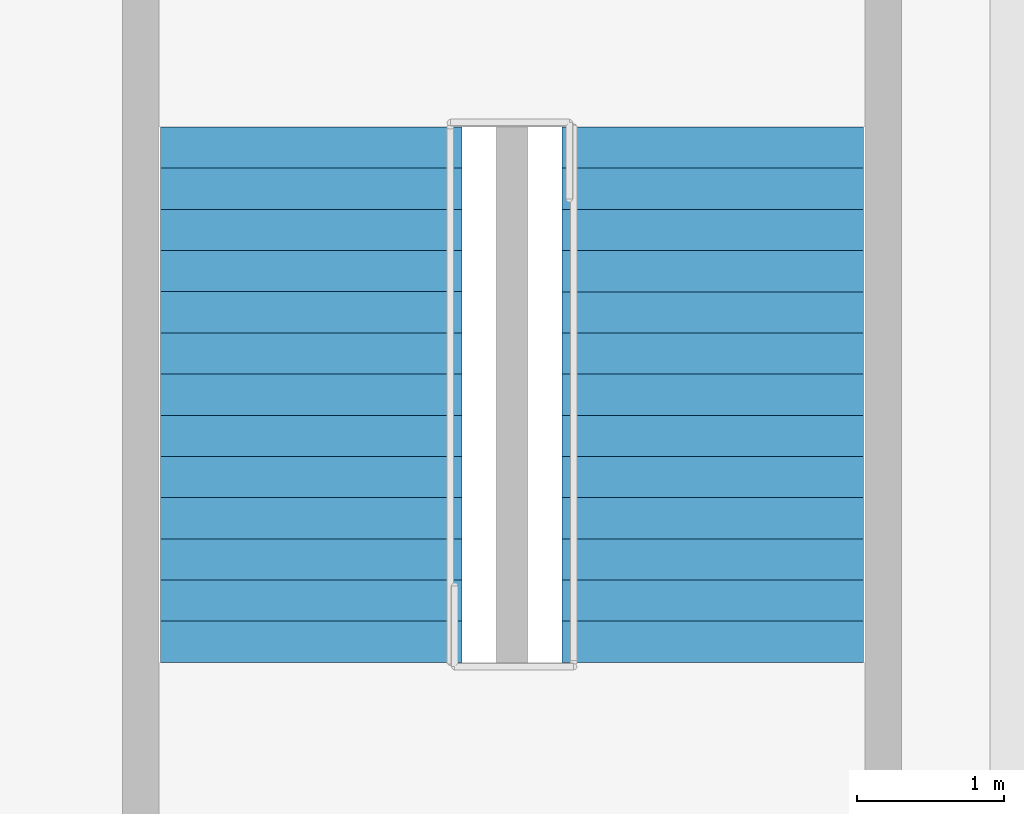
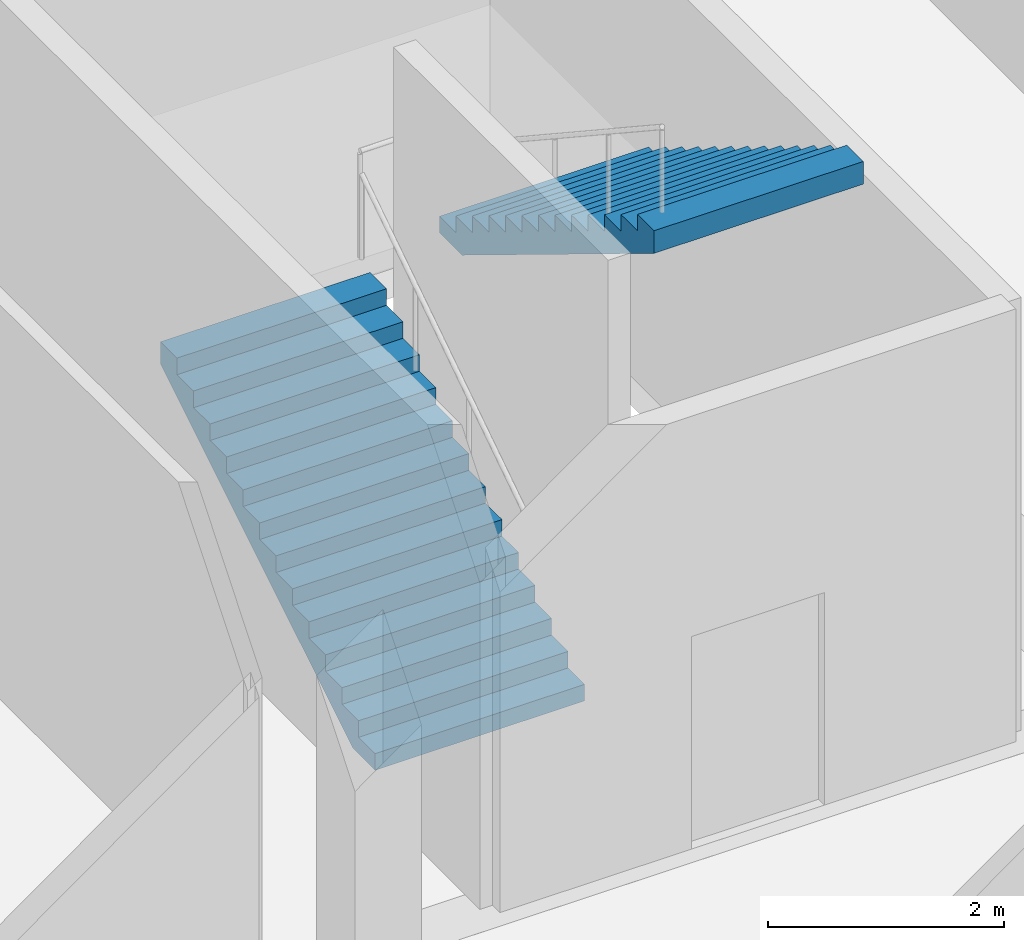
# One storey, part 55 of 64: 2 stair flights, 1 element without a shape of its own.
"""IFC4 building model written with IfcOpenShell, lengths in metres."""

from ifc_helpers import new_model, si_unit, direction, frame, origin, place, context, subcontext, project, spatial, polyline, outline, extrude, material, type_object, element, aggregate, save


model = new_model("IFC4")

# Units and contexts
model_context = context("Model", 3, precision=1e-05, world=origin(), true_north=direction((0.0, 1.0)))
body_context = subcontext(model_context, "Body", "Model", "MODEL_VIEW")
ifc_project = project(units=[si_unit("LENGTHUNIT", "METRE"), si_unit("AREAUNIT", "SQUARE_METRE"), si_unit("VOLUMEUNIT", "CUBIC_METRE"), si_unit("PLANEANGLEUNIT", "RADIAN"), si_unit("MASSUNIT", "GRAM", prefix="KILO")], contexts=[model_context])

# Site, building, storey
site_placement = place(None, origin())
site = spatial("IfcSite", under=ifc_project, at=site_placement, CompositionType="ELEMENT")
building_placement = place(site_placement, origin())
building = spatial("IfcBuilding", under=site, at=building_placement, Name="Akrevak Sports Hall", CompositionType="ELEMENT")
storey_placement = place(building_placement, frame((0.0, 0.0, 4.60009765625)))
storey = spatial("IfcBuildingStorey", under=building, at=storey_placement, Name="L01", CompositionType="ELEMENT", Elevation=4.60009765625)

# Stair, stair flights
ifc_material = material(Name="Concrete C40/50", Category="concrete")
stair_type = type_object("IfcStairType", Name="ARC-STR-PDOG-480", PredefinedType="HALF_TURN_STAIR", material=ifc_material)
stair_placement = place(storey_placement, origin())
stair = element("IfcStair", 1, at=stair_placement, inside=storey, type_object=stair_type, Name="Podium NE Exit Stair ST8 (L01 to L02)", PredefinedType="HALF_TURN_STAIR")
stair_flight_type = type_object("IfcStairFlightType", Name="ARC-FLT-225-171", PredefinedType="STRAIGHT", material=ifc_material)
stair_flight_1_placement = place(storey_placement, frame((140.385009765625, 71.85009765625, 0.0), z_axis=(0.0, 0.0, 1.0), x_axis=(0.0, 1.0, 0.0)))
stair_flight_1 = element("IfcStairFlight", 2, at=stair_flight_1_placement, type_object=stair_flight_type, Name="Stair ST8 Flight 1 (L01)", NumberOfRisers=14, NumberOfTreads=13, PredefinedType="STRAIGHT", RiserHeight=0.171429, TreadLength=0.28, context=body_context, shape_type="SweptSolid", body=[
    extrude(outline(polyline([(0.0, 0.0), (0.0, 0.17138671875), (0.280029296875, 0.17138671875), (0.280029296875, 0.3427734375), (0.56005859375, 0.3427734375), (0.56005859375, 0.514404296875), (0.840087890625, 0.514404296875), (0.840087890625, 0.685791015625), (1.1201171875, 0.685791015625), (1.1201171875, 0.857177734375), (1.39990234375, 0.857177734375), (1.39990234375, 1.028564453125), (1.679931640625, 1.028564453125), (1.679931640625, 1.199951171875), (1.9599609375, 1.199951171875), (1.9599609375, 1.371337890625), (2.239990234375, 1.371337890625), (2.239990234375, 1.54296875), (2.52001953125, 1.54296875), (2.52001953125, 1.71435546875), (2.800048828125, 1.71435546875), (2.800048828125, 1.8857421875), (3.080078125, 1.8857421875), (3.080078125, 2.05712890625), (3.360107421875, 2.05712890625), (3.360107421875, 2.228515625), (3.639892578125, 2.228515625), (3.639892578125, 2.39990234375), (3.639892578125, 1.994140625), (0.383056640625, 0.0), (0.0, 0.0)])), frame((0.0, 1.02490234375, 0.0), z_axis=(0.0, -1.0, 0.0), x_axis=(1.0, 0.0, 0.0)), (0.0, 0.0, 1.0), 2.050048828125),
])
stair_flight_2_placement = place(storey_placement, frame((143.114990234375, 75.489990234375, 2.39990234375), z_axis=(0.0, 0.0, 1.0), x_axis=(0.0, -1.0, 0.0)))
stair_flight_2 = element("IfcStairFlight", 3, at=stair_flight_2_placement, type_object=stair_flight_type, Name="Stair ST8 Flight 2 (L01)", NumberOfRisers=14, NumberOfTreads=13, PredefinedType="STRAIGHT", RiserHeight=0.171429, TreadLength=0.28, context=body_context, shape_type="SweptSolid", body=[
    extrude(outline(polyline([(0.0, 0.0), (0.0, 0.17138671875), (0.280029296875, 0.17138671875), (0.280029296875, 0.3427734375), (0.56005859375, 0.3427734375), (0.56005859375, 0.514404296875), (0.840087890625, 0.514404296875), (0.840087890625, 0.685791015625), (1.1201171875, 0.685791015625), (1.1201171875, 0.857177734375), (1.39990234375, 0.857177734375), (1.39990234375, 1.028564453125), (1.679931640625, 1.028564453125), (1.679931640625, 1.199951171875), (1.9599609375, 1.199951171875), (1.9599609375, 1.371337890625), (2.239990234375, 1.371337890625), (2.239990234375, 1.54296875), (2.52001953125, 1.54296875), (2.52001953125, 1.71435546875), (2.800048828125, 1.71435546875), (2.800048828125, 1.8857421875), (3.080078125, 1.8857421875), (3.080078125, 2.05712890625), (3.360107421875, 2.05712890625), (3.360107421875, 2.228515625), (3.639892578125, 2.228515625), (3.639892578125, 2.39990234375), (3.639892578125, 1.994140625), (0.383056640625, 0.0), (0.0, 0.0)])), frame((0.0, 1.02490234375, 0.0), z_axis=(0.0, -1.0, 0.0), x_axis=(1.0, 0.0, 0.0)), (0.0, 0.0, 1.0), 2.050048828125),
])
aggregate(stair, [stair_flight_1, stair_flight_2])

save(model, "model.ifc")
